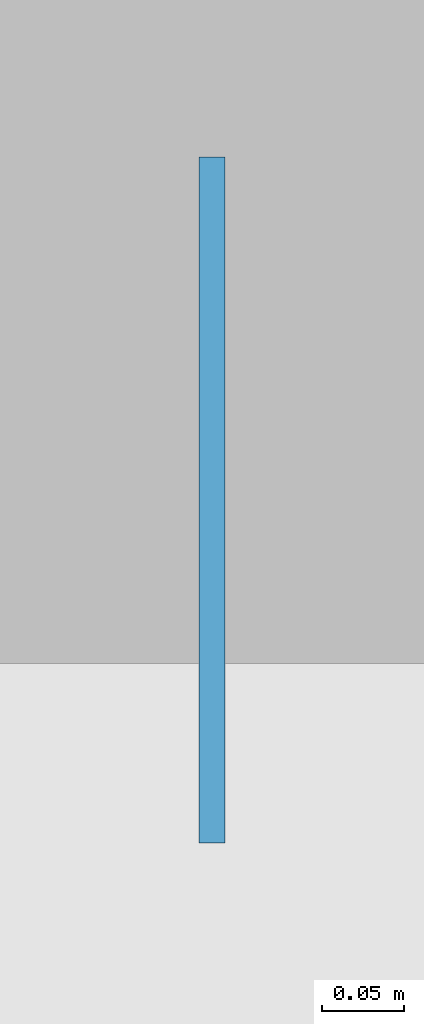
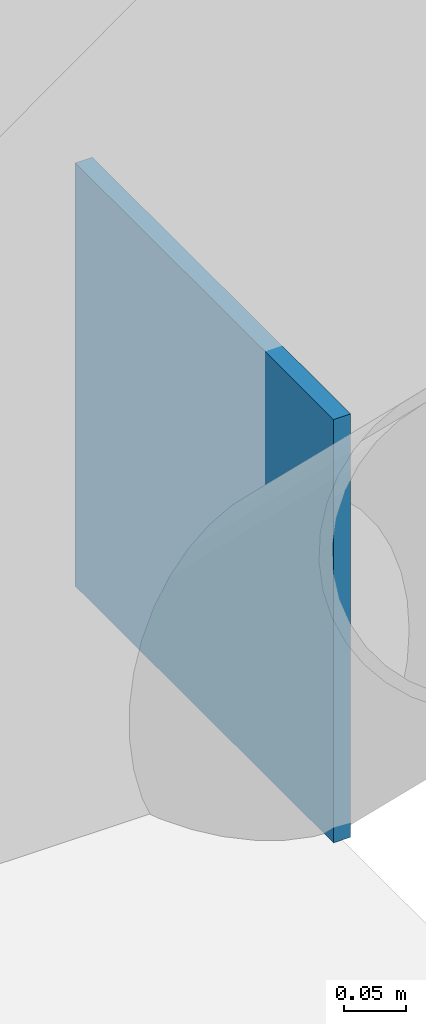
# One storey, part 69 of 108: 1 plate.
"""IFC4 building model written with IfcOpenShell, lengths in metres."""

from ifc_helpers import new_model, si_unit, direction, frame, origin, origin_2d, place, context, subcontext, project, spatial, rectangle, extrude, material, layer, layer_set, type_object, element, save


model = new_model("IFC4")

# Units and contexts
model_context = context("Model", 3, precision=1e-05, world=origin(), true_north=direction((0.0, 1.0)))
body_context = subcontext(model_context, "Body", "Model", "MODEL_VIEW")
ifc_project = project(units=[si_unit("LENGTHUNIT", "METRE"), si_unit("AREAUNIT", "SQUARE_METRE"), si_unit("VOLUMEUNIT", "CUBIC_METRE"), si_unit("PLANEANGLEUNIT", "RADIAN"), si_unit("MASSUNIT", "GRAM", prefix="KILO")], contexts=[model_context])

# Site, building, storey
site_placement = place(None, origin())
site = spatial("IfcSite", under=ifc_project, at=site_placement, CompositionType="ELEMENT")
building_placement = place(site_placement, origin())
building = spatial("IfcBuilding", under=site, at=building_placement, Name="Kangsadwip Square Police Headquarters", CompositionType="ELEMENT")
storey_placement = place(building_placement, frame((0.0, 0.0, 9.449951171875)))
storey = spatial("IfcBuildingStorey", under=building, at=storey_placement, Name="L02", CompositionType="ELEMENT", Elevation=9.449951171875)

# Plate
ifc_material = material(Name="Structural steel IS 2062 E350 (Grade 350, 350 MPa)", Category="steel")
ifc_layer = layer(ifc_material, 0.01611328125)
ifc_layer_set = layer_set([ifc_layer], Name="Structural steel IS 2062 E350 (Grade 350, 350 MPa)")
plate_type = type_object("IfcPlateType", Name="TrussGussetPlate16", PredefinedType="USERDEFINED", material=ifc_layer_set)
plate_placement = place(storey_placement, frame((21.60009765625, 42.89990234375, 0.0), z_axis=(0.0, 0.0, 1.0), x_axis=(0.0, 1.0, 0.0)))
element("IfcPlate", 1, at=plate_placement, inside=storey, type_object=plate_type, Name="Truss Node Gusset Plate GP-L02-0135", ObjectType="GUSSET_PLATE", PredefinedType="USERDEFINED", context=body_context, shape_type="SweptSolid", body=[
    extrude(rectangle(XDim=0.419921875, YDim=0.01611328125, at=origin_2d()), origin(), (0.0, 0.0, 1.0), 0.419921875),
])

save(model, "model.ifc")
